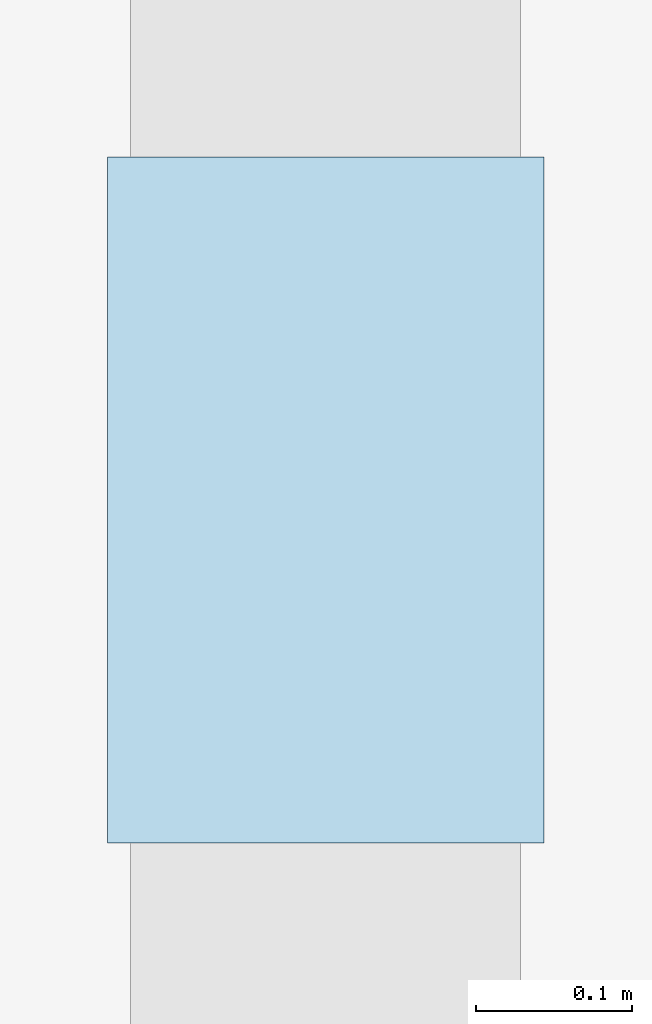
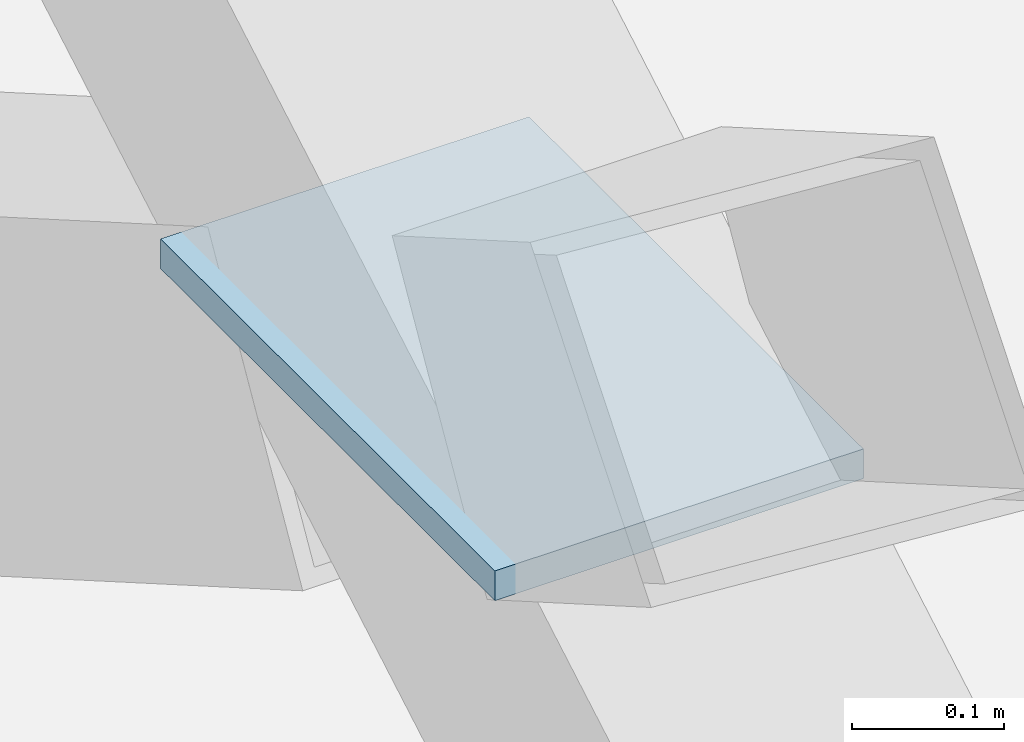
# One storey, part 25 of 48: 1 plate.
"""IFC4 building model written with IfcOpenShell, lengths in metres."""

from ifc_helpers import new_model, si_unit, direction, frame, origin, origin_2d, place, context, subcontext, project, spatial, rectangle, extrude, material, layer, layer_set, type_object, element, save


model = new_model("IFC4")

# Units and contexts
model_context = context("Model", 3, precision=1e-05, world=origin(), true_north=direction((0.0, 1.0)))
body_context = subcontext(model_context, "Body", "Model", "MODEL_VIEW")
ifc_project = project(units=[si_unit("LENGTHUNIT", "METRE"), si_unit("AREAUNIT", "SQUARE_METRE"), si_unit("VOLUMEUNIT", "CUBIC_METRE"), si_unit("PLANEANGLEUNIT", "RADIAN"), si_unit("MASSUNIT", "GRAM", prefix="KILO")], contexts=[model_context])

# Site, building, storey
site_placement = place(None, origin())
site = spatial("IfcSite", under=ifc_project, at=site_placement, CompositionType="ELEMENT")
building_placement = place(site_placement, origin())
building = spatial("IfcBuilding", under=site, at=building_placement, Name="Nabrawat Pavilion Hospital", CompositionType="ELEMENT")
storey_placement = place(building_placement, frame((0.0, 0.0, -5.10009765625)))
storey = spatial("IfcBuildingStorey", under=building, at=storey_placement, Name="B1", CompositionType="ELEMENT", Elevation=-5.10009765625)

# Plate
ifc_material = material(Name="Steel S355", Category="steel")
ifc_layer = layer(ifc_material, 0.02392578125, Name="Steel S355")
ifc_layer_set = layer_set([ifc_layer], Name="Steel S355")
plate_type = type_object("IfcPlateType", Name="X-Brace Crossing Gusset Plate 440x280x24", PredefinedType="USERDEFINED", material=ifc_layer_set)
plate_placement = place(storey_placement, frame((33.60009765625, 27.300048828125, 2.2880859375), z_axis=(0.0, 0.0, 1.0), x_axis=(1.0, 0.0, 0.0)))
element("IfcPlate", 1, at=plate_placement, inside=storey, type_object=plate_type, Name="B1 Split X-Brace Crossing Gusset Plate 01", ObjectType="GUSSET PLATE", PredefinedType="USERDEFINED", context=body_context, shape_type="SweptSolid", body=[
    extrude(rectangle(XDim=0.280029296875, YDim=0.43994140625, at=origin_2d()), origin(), (0.0, 0.0, 1.0), 0.02392578125),
])

save(model, "model.ifc")
